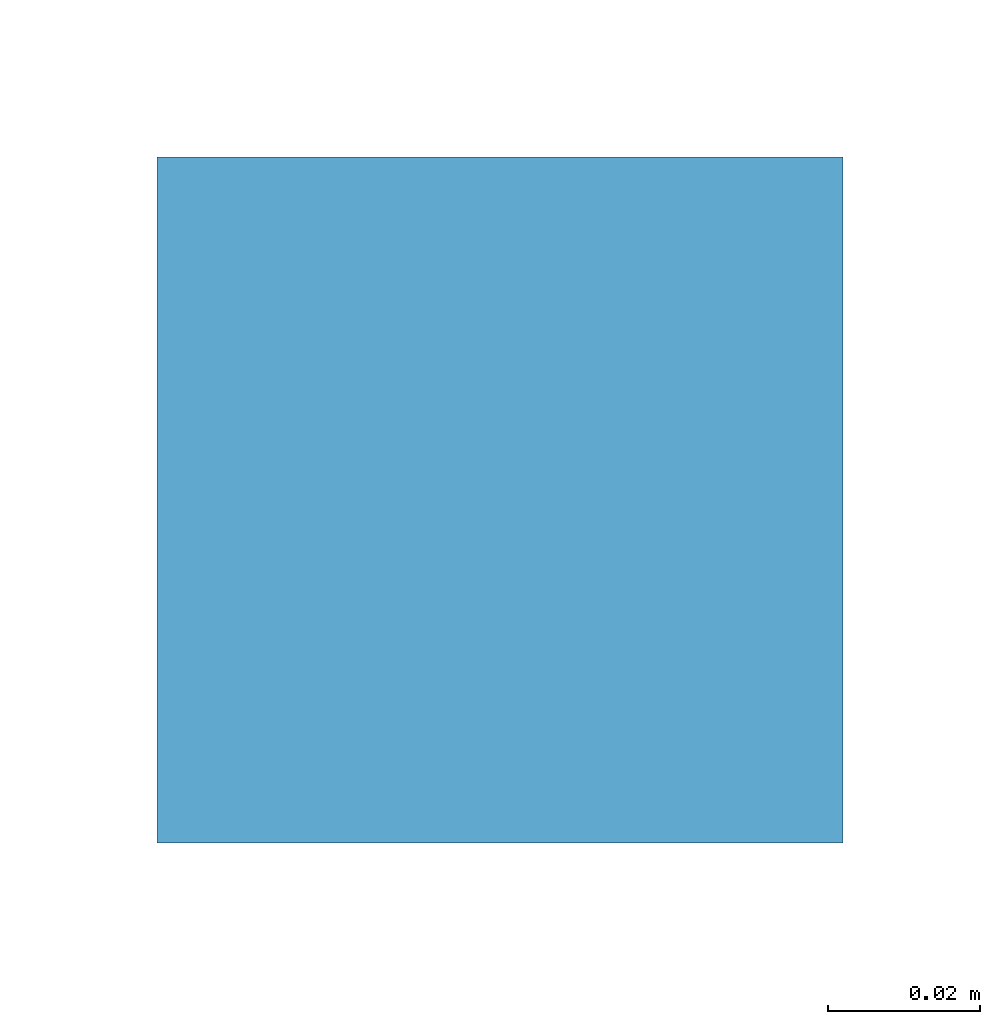
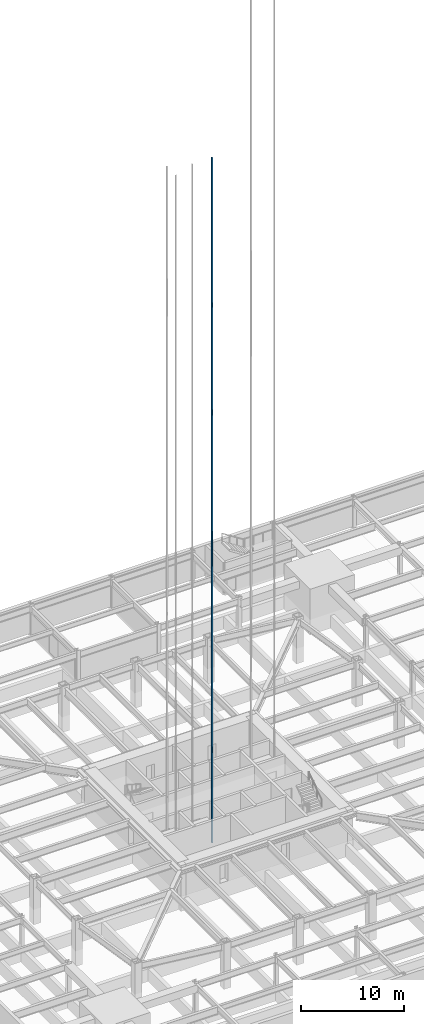
# One storey, part 22 of 35: 1 discrete accessory.
"""IFC4 building model written with IfcOpenShell, lengths in metres."""

from ifc_helpers import new_model, si_unit, direction, frame, origin, origin_2d, place, context, subcontext, project, spatial, rectangle, extrude, material, element, save


model = new_model("IFC4")

# Units and contexts
model_context = context("Model", 3, precision=1e-05, world=origin(), true_north=direction((0.0, 1.0)))
body_context = subcontext(model_context, "Body", "Model", "MODEL_VIEW")
ifc_project = project(units=[si_unit("LENGTHUNIT", "METRE"), si_unit("AREAUNIT", "SQUARE_METRE"), si_unit("VOLUMEUNIT", "CUBIC_METRE"), si_unit("PLANEANGLEUNIT", "RADIAN"), si_unit("MASSUNIT", "GRAM", prefix="KILO")], contexts=[model_context])

# Site, building, storey
site_placement = place(None, origin())
site = spatial("IfcSite", under=ifc_project, at=site_placement, CompositionType="ELEMENT")
building_placement = place(site_placement, origin())
building = spatial("IfcBuilding", under=site, at=building_placement, Name="Iwan Alto Co-Living Towers", CompositionType="ELEMENT")
storey_placement = place(building_placement, frame((0.0, 0.0, -7.199951171875)))
storey = spatial("IfcBuildingStorey", under=building, at=storey_placement, Name="B2", CompositionType="ELEMENT", Elevation=-7.199951171875)

# Discrete accessory
ifc_material = material(Name="Steel ASTM A36", Category="steel")
placement = place(storey_placement, frame((-3.41259765625, -3.0, 0.0), z_axis=(0.0, 0.0, 1.0), x_axis=(1.0, 0.0, 0.0)))
discrete_accessory_placement = place(placement, origin())
element("IfcDiscreteAccessory", 1, at=discrete_accessory_placement, inside=storey, material=ifc_material, Name="Lift P1-2 guide rail 2", ObjectType="Lift guide rail", PredefinedType="USERDEFINED", context=body_context, shape_type="SweptSolid", body=[
    extrude(rectangle(XDim=0.09, YDim=0.09, at=origin_2d()), frame((1.10009765625, 0.0, -0.199951171875)), (0.0, 0.0, 1.0), 80.800048828125),
])

save(model, "model.ifc")
